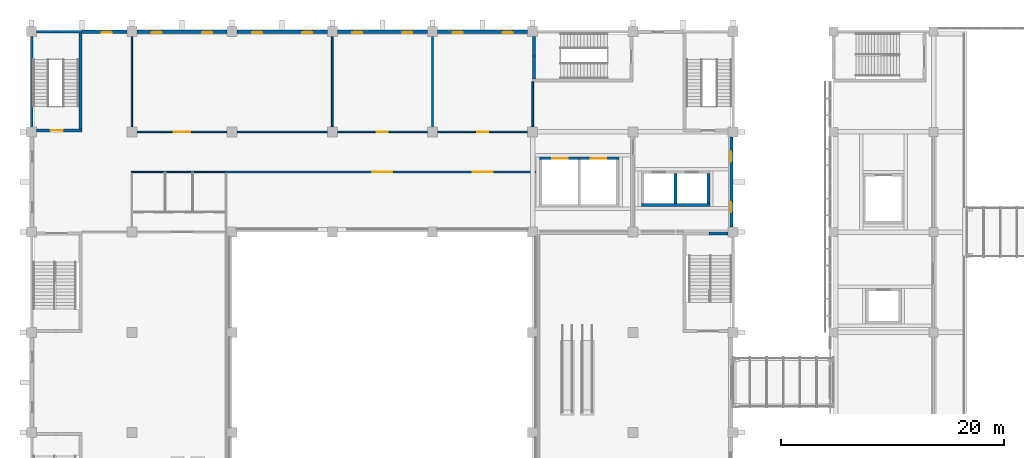
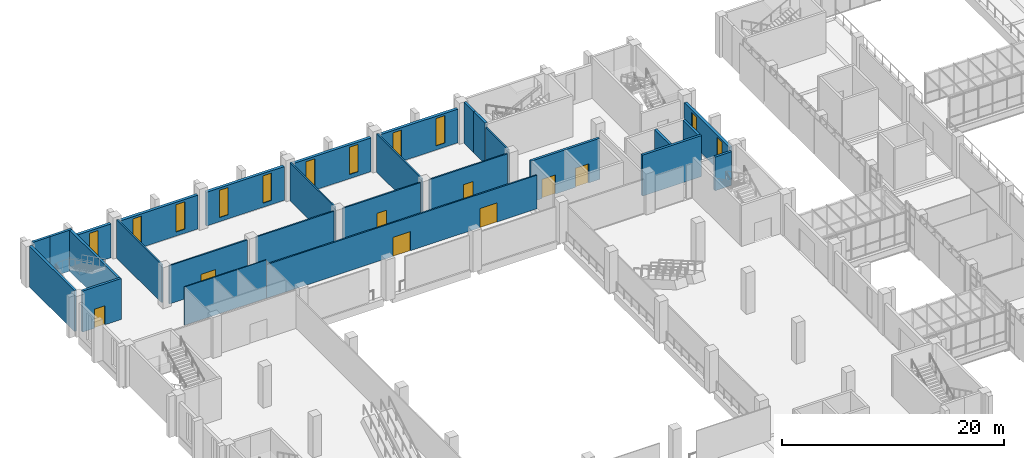
# One storey, part 60 of 88: 28 walls, 11 windows, 8 doors, 19 openings.
"""IFC4 building model written with IfcOpenShell, lengths in metres."""

from ifc_helpers import new_model, si_unit, direction, frame, frame_2d, origin, place, context, subcontext, project, spatial, rectangle, extrude, material, layer, layer_set, type_object, element, fill, save


model = new_model("IFC4")

# Units and contexts
model_context = context("Model", 3, precision=1e-05, world=origin(), true_north=direction((0.0, 1.0)))
body_context = subcontext(model_context, "Body", "Model", "MODEL_VIEW")
ifc_project = project(units=[si_unit("LENGTHUNIT", "METRE"), si_unit("AREAUNIT", "SQUARE_METRE"), si_unit("VOLUMEUNIT", "CUBIC_METRE"), si_unit("PLANEANGLEUNIT", "RADIAN"), si_unit("MASSUNIT", "GRAM", prefix="KILO")], contexts=[model_context])

# Site, building, storey
site_placement = place(None, origin())
site = spatial("IfcSite", under=ifc_project, at=site_placement, CompositionType="ELEMENT")
building_placement = place(site_placement, origin())
building = spatial("IfcBuilding", under=site, at=building_placement, Name="Guidao Yard Department Store", CompositionType="ELEMENT")
storey_placement = place(building_placement, frame((0.0, 0.0, 6.0)))
storey = spatial("IfcBuildingStorey", under=building, at=storey_placement, Name="L01", CompositionType="ELEMENT", Elevation=6.0)

# Wall, opening, window
ifc_material_1 = material(Name="Concrete C35", Category="concrete")
ifc_layer_1 = layer(ifc_material_1, 0.300048828125)
ifc_layer_set_1 = layer_set([ifc_layer_1], Name="Hall facade wall 300 C35")
wall_type_1 = type_object("IfcWallType", Name="Hall facade wall 300 C35", PredefinedType="SOLIDWALL", material=ifc_layer_set_1)
wall_1_placement = place(storey_placement, frame((4.5, 108.0, 0.0), z_axis=(0.0, 0.0, 1.0), x_axis=(1.0, 0.0, 0.0)))
wall_1 = element("IfcWall", 1, at=wall_1_placement, inside=storey, type_object=wall_type_1, Name="Hall facade wall", PredefinedType="SOLIDWALL", context=body_context, shape_type="SweptSolid", body=[
    extrude(rectangle(XDim=4.050048828125, YDim=0.300048828125, at=frame_2d((2.02490234375, 0.0))), origin(), (0.0, 0.0, 1.0), 3.699951171875),
])
opening_1_placement = place(wall_1_placement, frame((1.800048828125, 0.0, 0.449951171875)))
opening_1 = element("IfcOpeningElement", 2, at=opening_1_placement, cuts=wall_1, Name="Opening WN-L01-E09", PredefinedType="OPENING", context=body_context, shape_type="SweptSolid", body=[
    extrude(rectangle(XDim=0.89990234375, YDim=3.0, at=frame_2d((0.449951171875, 1.5))), frame((0.0, 0.159912109375, 0.0), z_axis=(0.0, -1.0, 0.0), x_axis=(1.0, 0.0, 0.0)), (0.0, 0.0, 1.0), 0.320068359375),
])
ifc_material_2 = material(Name="Laminated glass in aluminium frame", Category="aluminium")
window_type = type_object("IfcWindowType", Name="Slot window SL1 900 x 3000 fixed", PartitioningType="SINGLE_PANEL", PredefinedType="WINDOW", material=ifc_material_2)
window_1_placement = place(opening_1_placement, origin())
window_1 = element("IfcWindow", 3, at=window_1_placement, inside=storey, type_object=window_type, Name="Slot window", OverallHeight=3.0, OverallWidth=0.89990234375, PartitioningType="SINGLE_PANEL", PredefinedType="WINDOW", context=body_context, shape_type="SweptSolid", body=[
    extrude(rectangle(XDim=0.89990234375, YDim=3.0, at=frame_2d((0.449951171875, 1.5))), frame((0.0, -0.030029296875, 0.0), z_axis=(0.0, -1.0, 0.0), x_axis=(1.0, 0.0, 0.0)), (0.0, 0.0, 1.0), 0.06005859375),
])
fill(opening_1, window_1)

# Wall, openings, windows
wall_2_placement = place(storey_placement, frame((9.449951171875, 108.0, 0.0), z_axis=(0.0, 0.0, 1.0), x_axis=(1.0, 0.0, 0.0)))
wall_2 = element("IfcWall", 4, at=wall_2_placement, inside=storey, type_object=wall_type_1, Name="Hall facade wall", PredefinedType="SOLIDWALL", context=body_context, shape_type="SweptSolid", body=[
    extrude(rectangle(XDim=8.10009765625, YDim=0.300048828125, at=frame_2d((4.050048828125, 0.0))), origin(), (0.0, 0.0, 1.0), 3.699951171875),
])
opening_2_placement = place(wall_2_placement, frame((1.35009765625, 0.0, 0.449951171875)))
opening_2 = element("IfcOpeningElement", 5, at=opening_2_placement, cuts=wall_2, Name="Opening WN-L01-E10", PredefinedType="OPENING", context=body_context, shape_type="SweptSolid", body=[
    extrude(rectangle(XDim=0.89990234375, YDim=3.0, at=frame_2d((0.449951171875, 1.5))), frame((0.0, 0.159912109375, 0.0), z_axis=(0.0, -1.0, 0.0), x_axis=(1.0, 0.0, 0.0)), (0.0, 0.0, 1.0), 0.320068359375),
])
opening_3_placement = place(wall_2_placement, frame((5.85009765625, 0.0, 0.449951171875)))
opening_3 = element("IfcOpeningElement", 6, at=opening_3_placement, cuts=wall_2, Name="Opening WN-L01-E11", PredefinedType="OPENING", context=body_context, shape_type="SweptSolid", body=[
    extrude(rectangle(XDim=0.89990234375, YDim=3.0, at=frame_2d((0.449951171875, 1.5))), frame((0.0, 0.159912109375, 0.0), z_axis=(0.0, -1.0, 0.0), x_axis=(1.0, 0.0, 0.0)), (0.0, 0.0, 1.0), 0.320068359375),
])
window_2_placement = place(opening_2_placement, origin())
window_2 = element("IfcWindow", 7, at=window_2_placement, inside=storey, type_object=window_type, Name="Slot window", OverallHeight=3.0, OverallWidth=0.89990234375, PartitioningType="SINGLE_PANEL", PredefinedType="WINDOW", context=body_context, shape_type="SweptSolid", body=[
    extrude(rectangle(XDim=0.89990234375, YDim=3.0, at=frame_2d((0.449951171875, 1.5))), frame((0.0, -0.030029296875, 0.0), z_axis=(0.0, -1.0, 0.0), x_axis=(1.0, 0.0, 0.0)), (0.0, 0.0, 1.0), 0.06005859375),
])
fill(opening_2, window_2)
window_3_placement = place(opening_3_placement, origin())
window_3 = element("IfcWindow", 8, at=window_3_placement, inside=storey, type_object=window_type, Name="Slot window", OverallHeight=3.0, OverallWidth=0.89990234375, PartitioningType="SINGLE_PANEL", PredefinedType="WINDOW", context=body_context, shape_type="SweptSolid", body=[
    extrude(rectangle(XDim=0.89990234375, YDim=3.0, at=frame_2d((0.449951171875, 1.5))), frame((0.0, -0.030029296875, 0.0), z_axis=(0.0, -1.0, 0.0), x_axis=(1.0, 0.0, 0.0)), (0.0, 0.0, 1.0), 0.06005859375),
])
fill(opening_3, window_3)

wall_3_placement = place(storey_placement, frame((18.449951171875, 108.0, 0.0), z_axis=(0.0, 0.0, 1.0), x_axis=(1.0, 0.0, 0.0)))
wall_3 = element("IfcWall", 9, at=wall_3_placement, inside=storey, type_object=wall_type_1, Name="Hall facade wall", PredefinedType="SOLIDWALL", context=body_context, shape_type="SweptSolid", body=[
    extrude(rectangle(XDim=8.10009765625, YDim=0.300048828125, at=frame_2d((4.050048828125, 0.0))), origin(), (0.0, 0.0, 1.0), 3.699951171875),
])
opening_4_placement = place(wall_3_placement, frame((1.35009765625, 0.0, 0.449951171875)))
opening_4 = element("IfcOpeningElement", 10, at=opening_4_placement, cuts=wall_3, Name="Opening WN-L01-E12", PredefinedType="OPENING", context=body_context, shape_type="SweptSolid", body=[
    extrude(rectangle(XDim=0.89990234375, YDim=3.0, at=frame_2d((0.449951171875, 1.5))), frame((0.0, 0.159912109375, 0.0), z_axis=(0.0, -1.0, 0.0), x_axis=(1.0, 0.0, 0.0)), (0.0, 0.0, 1.0), 0.320068359375),
])
opening_5_placement = place(wall_3_placement, frame((5.85009765625, 0.0, 0.449951171875)))
opening_5 = element("IfcOpeningElement", 11, at=opening_5_placement, cuts=wall_3, Name="Opening WN-L01-E13", PredefinedType="OPENING", context=body_context, shape_type="SweptSolid", body=[
    extrude(rectangle(XDim=0.89990234375, YDim=3.0, at=frame_2d((0.449951171875, 1.5))), frame((0.0, 0.159912109375, 0.0), z_axis=(0.0, -1.0, 0.0), x_axis=(1.0, 0.0, 0.0)), (0.0, 0.0, 1.0), 0.320068359375),
])
window_4_placement = place(opening_4_placement, origin())
window_4 = element("IfcWindow", 12, at=window_4_placement, inside=storey, type_object=window_type, Name="Slot window", OverallHeight=3.0, OverallWidth=0.89990234375, PartitioningType="SINGLE_PANEL", PredefinedType="WINDOW", context=body_context, shape_type="SweptSolid", body=[
    extrude(rectangle(XDim=0.89990234375, YDim=3.0, at=frame_2d((0.449951171875, 1.5))), frame((0.0, -0.030029296875, 0.0), z_axis=(0.0, -1.0, 0.0), x_axis=(1.0, 0.0, 0.0)), (0.0, 0.0, 1.0), 0.06005859375),
])
fill(opening_4, window_4)
window_5_placement = place(opening_5_placement, origin())
window_5 = element("IfcWindow", 13, at=window_5_placement, inside=storey, type_object=window_type, Name="Slot window", OverallHeight=3.0, OverallWidth=0.89990234375, PartitioningType="SINGLE_PANEL", PredefinedType="WINDOW", context=body_context, shape_type="SweptSolid", body=[
    extrude(rectangle(XDim=0.89990234375, YDim=3.0, at=frame_2d((0.449951171875, 1.5))), frame((0.0, -0.030029296875, 0.0), z_axis=(0.0, -1.0, 0.0), x_axis=(1.0, 0.0, 0.0)), (0.0, 0.0, 1.0), 0.06005859375),
])
fill(opening_5, window_5)

wall_4_placement = place(storey_placement, frame((27.449951171875, 108.0, 0.0), z_axis=(0.0, 0.0, 1.0), x_axis=(1.0, 0.0, 0.0)))
wall_4 = element("IfcWall", 14, at=wall_4_placement, inside=storey, type_object=wall_type_1, Name="Hall facade wall", PredefinedType="SOLIDWALL", context=body_context, shape_type="SweptSolid", body=[
    extrude(rectangle(XDim=8.10009765625, YDim=0.300048828125, at=frame_2d((4.050048828125, 0.0))), origin(), (0.0, 0.0, 1.0), 3.699951171875),
])
opening_6_placement = place(wall_4_placement, frame((1.35009765625, 0.0, 0.449951171875)))
opening_6 = element("IfcOpeningElement", 15, at=opening_6_placement, cuts=wall_4, Name="Opening WN-L01-E14", PredefinedType="OPENING", context=body_context, shape_type="SweptSolid", body=[
    extrude(rectangle(XDim=0.89990234375, YDim=3.0, at=frame_2d((0.449951171875, 1.5))), frame((0.0, 0.159912109375, 0.0), z_axis=(0.0, -1.0, 0.0), x_axis=(1.0, 0.0, 0.0)), (0.0, 0.0, 1.0), 0.320068359375),
])
opening_7_placement = place(wall_4_placement, frame((5.85009765625, 0.0, 0.449951171875)))
opening_7 = element("IfcOpeningElement", 16, at=opening_7_placement, cuts=wall_4, Name="Opening WN-L01-E15", PredefinedType="OPENING", context=body_context, shape_type="SweptSolid", body=[
    extrude(rectangle(XDim=0.89990234375, YDim=3.0, at=frame_2d((0.449951171875, 1.5))), frame((0.0, 0.159912109375, 0.0), z_axis=(0.0, -1.0, 0.0), x_axis=(1.0, 0.0, 0.0)), (0.0, 0.0, 1.0), 0.320068359375),
])
window_6_placement = place(opening_6_placement, origin())
window_6 = element("IfcWindow", 17, at=window_6_placement, inside=storey, type_object=window_type, Name="Slot window", OverallHeight=3.0, OverallWidth=0.89990234375, PartitioningType="SINGLE_PANEL", PredefinedType="WINDOW", context=body_context, shape_type="SweptSolid", body=[
    extrude(rectangle(XDim=0.89990234375, YDim=3.0, at=frame_2d((0.449951171875, 1.5))), frame((0.0, -0.030029296875, 0.0), z_axis=(0.0, -1.0, 0.0), x_axis=(1.0, 0.0, 0.0)), (0.0, 0.0, 1.0), 0.06005859375),
])
fill(opening_6, window_6)
window_7_placement = place(opening_7_placement, origin())
window_7 = element("IfcWindow", 18, at=window_7_placement, inside=storey, type_object=window_type, Name="Slot window", OverallHeight=3.0, OverallWidth=0.89990234375, PartitioningType="SINGLE_PANEL", PredefinedType="WINDOW", context=body_context, shape_type="SweptSolid", body=[
    extrude(rectangle(XDim=0.89990234375, YDim=3.0, at=frame_2d((0.449951171875, 1.5))), frame((0.0, -0.030029296875, 0.0), z_axis=(0.0, -1.0, 0.0), x_axis=(1.0, 0.0, 0.0)), (0.0, 0.0, 1.0), 0.06005859375),
])
fill(opening_7, window_7)

wall_5_placement = place(storey_placement, frame((36.449951171875, 108.0, 0.0), z_axis=(0.0, 0.0, 1.0), x_axis=(1.0, 0.0, 0.0)))
wall_5 = element("IfcWall", 19, at=wall_5_placement, inside=storey, type_object=wall_type_1, Name="Hall facade wall", PredefinedType="SOLIDWALL", context=body_context, shape_type="SweptSolid", body=[
    extrude(rectangle(XDim=8.10009765625, YDim=0.300048828125, at=frame_2d((4.050048828125, 0.0))), origin(), (0.0, 0.0, 1.0), 3.699951171875),
])
opening_8_placement = place(wall_5_placement, frame((1.35009765625, 0.0, 0.449951171875)))
opening_8 = element("IfcOpeningElement", 20, at=opening_8_placement, cuts=wall_5, Name="Opening WN-L01-E16", PredefinedType="OPENING", context=body_context, shape_type="SweptSolid", body=[
    extrude(rectangle(XDim=0.89990234375, YDim=3.0, at=frame_2d((0.449951171875, 1.5))), frame((0.0, 0.159912109375, 0.0), z_axis=(0.0, -1.0, 0.0), x_axis=(1.0, 0.0, 0.0)), (0.0, 0.0, 1.0), 0.320068359375),
])
opening_9_placement = place(wall_5_placement, frame((5.85009765625, 0.0, 0.449951171875)))
opening_9 = element("IfcOpeningElement", 21, at=opening_9_placement, cuts=wall_5, Name="Opening WN-L01-E17", PredefinedType="OPENING", context=body_context, shape_type="SweptSolid", body=[
    extrude(rectangle(XDim=0.89990234375, YDim=3.0, at=frame_2d((0.449951171875, 1.5))), frame((0.0, 0.159912109375, 0.0), z_axis=(0.0, -1.0, 0.0), x_axis=(1.0, 0.0, 0.0)), (0.0, 0.0, 1.0), 0.320068359375),
])
window_8_placement = place(opening_8_placement, origin())
window_8 = element("IfcWindow", 22, at=window_8_placement, inside=storey, type_object=window_type, Name="Slot window", OverallHeight=3.0, OverallWidth=0.89990234375, PartitioningType="SINGLE_PANEL", PredefinedType="WINDOW", context=body_context, shape_type="SweptSolid", body=[
    extrude(rectangle(XDim=0.89990234375, YDim=3.0, at=frame_2d((0.449951171875, 1.5))), frame((0.0, -0.030029296875, 0.0), z_axis=(0.0, -1.0, 0.0), x_axis=(1.0, 0.0, 0.0)), (0.0, 0.0, 1.0), 0.06005859375),
])
fill(opening_8, window_8)
window_9_placement = place(opening_9_placement, origin())
window_9 = element("IfcWindow", 23, at=window_9_placement, inside=storey, type_object=window_type, Name="Slot window", OverallHeight=3.0, OverallWidth=0.89990234375, PartitioningType="SINGLE_PANEL", PredefinedType="WINDOW", context=body_context, shape_type="SweptSolid", body=[
    extrude(rectangle(XDim=0.89990234375, YDim=3.0, at=frame_2d((0.449951171875, 1.5))), frame((0.0, -0.030029296875, 0.0), z_axis=(0.0, -1.0, 0.0), x_axis=(1.0, 0.0, 0.0)), (0.0, 0.0, 1.0), 0.06005859375),
])
fill(opening_9, window_9)

wall_6_placement = place(storey_placement, frame((62.85009765625, 98.550048828125, 0.0), z_axis=(0.0, 0.0, 1.0), x_axis=(0.0, -1.0, 0.0)))
wall_6 = element("IfcWall", 24, at=wall_6_placement, inside=storey, type_object=wall_type_1, Name="Hall facade wall", PredefinedType="SOLIDWALL", context=body_context, shape_type="SweptSolid", body=[
    extrude(rectangle(XDim=8.10009765625, YDim=0.300048828125, at=frame_2d((4.050048828125, 0.0))), origin(), (0.0, 0.0, 1.0), 3.699951171875),
])
opening_10_placement = place(wall_6_placement, frame((5.85009765625, 0.0, 0.449951171875)))
opening_10 = element("IfcOpeningElement", 25, at=opening_10_placement, cuts=wall_6, Name="Opening WN-L01-E21", PredefinedType="OPENING", context=body_context, shape_type="SweptSolid", body=[
    extrude(rectangle(XDim=0.89990234375, YDim=3.0, at=frame_2d((0.449951171875, 1.5))), frame((0.0, 0.159912109375, 0.0), z_axis=(0.0, -1.0, 0.0), x_axis=(1.0, 0.0, 0.0)), (0.0, 0.0, 1.0), 0.320068359375),
])
opening_11_placement = place(wall_6_placement, frame((1.35009765625, 0.0, 0.449951171875)))
opening_11 = element("IfcOpeningElement", 26, at=opening_11_placement, cuts=wall_6, Name="Opening WN-L01-E22", PredefinedType="OPENING", context=body_context, shape_type="SweptSolid", body=[
    extrude(rectangle(XDim=0.89990234375, YDim=3.0, at=frame_2d((0.449951171875, 1.5))), frame((0.0, 0.159912109375, 0.0), z_axis=(0.0, -1.0, 0.0), x_axis=(1.0, 0.0, 0.0)), (0.0, 0.0, 1.0), 0.320068359375),
])
window_10_placement = place(opening_10_placement, origin())
window_10 = element("IfcWindow", 27, at=window_10_placement, inside=storey, type_object=window_type, Name="Slot window", OverallHeight=3.0, OverallWidth=0.89990234375, PartitioningType="SINGLE_PANEL", PredefinedType="WINDOW", context=body_context, shape_type="SweptSolid", body=[
    extrude(rectangle(XDim=0.89990234375, YDim=3.0, at=frame_2d((0.449951171875, 1.5))), frame((0.0, -0.030029296875, 0.0), z_axis=(0.0, -1.0, 0.0), x_axis=(1.0, 0.0, 0.0)), (0.0, 0.0, 1.0), 0.06005859375),
])
fill(opening_10, window_10)
window_11_placement = place(opening_11_placement, origin())
window_11 = element("IfcWindow", 28, at=window_11_placement, inside=storey, type_object=window_type, Name="Slot window", OverallHeight=3.0, OverallWidth=0.89990234375, PartitioningType="SINGLE_PANEL", PredefinedType="WINDOW", context=body_context, shape_type="SweptSolid", body=[
    extrude(rectangle(XDim=0.89990234375, YDim=3.0, at=frame_2d((0.449951171875, 1.5))), frame((0.0, -0.030029296875, 0.0), z_axis=(0.0, -1.0, 0.0), x_axis=(1.0, 0.0, 0.0)), (0.0, 0.0, 1.0), 0.06005859375),
])
fill(opening_11, window_11)

# Wall
ifc_material_3 = material(Name="Gypsum board on Steel Q235 studs", Category="steel")
ifc_layer_2 = layer(ifc_material_3, 0.10009765625)
ifc_layer_set_2 = layer_set([ifc_layer_2], Name="Partition P1 100 mm gypsum board EI 30")
wall_type_2 = type_object("IfcWallType", Name="Partition P1 100 mm gypsum board EI 30", PredefinedType="PARTITIONING", material=ifc_layer_set_2)
wall_7_placement = place(storey_placement, frame((8.949951171875, 95.39990234375, 0.0), z_axis=(0.0, 0.0, 1.0), x_axis=(1.0, 0.0, 0.0)))
element("IfcWall", 29, at=wall_7_placement, inside=storey, type_object=wall_type_2, Name="Wall W-HL01-020", PredefinedType="PARTITIONING", context=body_context, shape_type="SweptSolid", body=[
    extrude(rectangle(XDim=8.5, YDim=0.10009765625, at=frame_2d((4.25, 0.0))), origin(), (0.0, 0.0, 1.0), 4.199951171875),
])

# Wall, openings, doors
ifc_material_4 = material(Name="Concrete block MU10", Category="concrete")
ifc_layer_3 = layer(ifc_material_4, 0.14990234375)
ifc_layer_set_3 = layer_set([ifc_layer_3], Name="Wall P2 150 mm blockwork EI 60")
wall_type_3 = type_object("IfcWallType", Name="Wall P2 150 mm blockwork EI 60", PredefinedType="PARTITIONING", material=ifc_layer_set_3)
wall_8_placement = place(storey_placement, frame((17.449951171875, 95.39990234375, 0.0), z_axis=(0.0, 0.0, 1.0), x_axis=(1.0, 0.0, 0.0)))
wall_8 = element("IfcWall", 30, at=wall_8_placement, inside=storey, type_object=wall_type_3, Name="Wall W-HL01-019", PredefinedType="PARTITIONING", context=body_context, shape_type="SweptSolid", body=[
    extrude(rectangle(XDim=28.10009765625, YDim=0.14990234375, at=frame_2d((14.050048828125, 0.0))), origin(), (0.0, 0.0, 1.0), 3.699951171875),
])
opening_12_placement = place(wall_8_placement, frame((14.949951171875, 0.0, 0.0), z_axis=(0.0, 0.0, 1.0), x_axis=(-1.0, 0.0, 0.0)))
opening_12 = element("IfcOpeningElement", 31, at=opening_12_placement, cuts=wall_8, Name="Opening HL01-005", PredefinedType="OPENING", context=body_context, shape_type="SweptSolid", body=[
    extrude(rectangle(XDim=1.800048828125, YDim=2.10009765625, at=frame_2d((0.89990234375, 1.050048828125))), frame((0.0, 0.0849609375, 0.0), z_axis=(0.0, -1.0, 0.0), x_axis=(1.0, 0.0, 0.0)), (0.0, 0.0, 1.0), 0.169921875),
])
opening_13_placement = place(wall_8_placement, frame((23.949951171875, 0.0, 0.0), z_axis=(0.0, 0.0, 1.0), x_axis=(-1.0, 0.0, 0.0)))
opening_13 = element("IfcOpeningElement", 32, at=opening_13_placement, cuts=wall_8, Name="Opening HL01-006", PredefinedType="OPENING", context=body_context, shape_type="SweptSolid", body=[
    extrude(rectangle(XDim=1.800048828125, YDim=2.10009765625, at=frame_2d((0.89990234375, 1.050048828125))), frame((0.0, 0.0849609375, 0.0), z_axis=(0.0, -1.0, 0.0), x_axis=(1.0, 0.0, 0.0)), (0.0, 0.0, 1.0), 0.169921875),
])
ifc_material_5 = material(Name="Steel Q235", Category="steel")
door_type_1 = type_object("IfcDoorType", Name="Door FD5 double 1800 x 2100 FD60", OperationType="DOUBLE_DOOR_SINGLE_SWING", PredefinedType="DOOR", material=ifc_material_5)
door_1_placement = place(opening_12_placement, origin())
door_1 = element("IfcDoor", 33, at=door_1_placement, inside=storey, type_object=door_type_1, Name="Door HL01-005", OperationType="DOUBLE_DOOR_SINGLE_SWING", OverallHeight=2.10009765625, OverallWidth=1.800048828125, PredefinedType="DOOR", context=body_context, shape_type="SweptSolid", body=[
    extrude(rectangle(XDim=1.800048828125, YDim=2.10009765625, at=frame_2d((0.89990234375, 1.050048828125))), frame((0.0, 0.02490234375, 0.0), z_axis=(0.0, -1.0, 0.0), x_axis=(1.0, 0.0, 0.0)), (0.0, 0.0, 1.0), 0.050048828125),
])
fill(opening_12, door_1)
door_2_placement = place(opening_13_placement, origin())
door_2 = element("IfcDoor", 34, at=door_2_placement, inside=storey, type_object=door_type_1, Name="Door HL01-006", OperationType="DOUBLE_DOOR_SINGLE_SWING", OverallHeight=2.10009765625, OverallWidth=1.800048828125, PredefinedType="DOOR", context=body_context, shape_type="SweptSolid", body=[
    extrude(rectangle(XDim=1.800048828125, YDim=2.10009765625, at=frame_2d((0.89990234375, 1.050048828125))), frame((0.0, 0.02490234375, 0.0), z_axis=(0.0, -1.0, 0.0), x_axis=(1.0, 0.0, 0.0)), (0.0, 0.0, 1.0), 0.050048828125),
])
fill(opening_13, door_2)

# Wall, opening, door
wall_9_placement = place(storey_placement, frame((9.449951171875, 99.0, 0.0), z_axis=(0.0, 0.0, 1.0), x_axis=(1.0, 0.0, 0.0)))
wall_9 = element("IfcWall", 35, at=wall_9_placement, inside=storey, type_object=wall_type_3, Name="Wall W-HL01-021", PredefinedType="PARTITIONING", context=body_context, shape_type="SweptSolid", body=[
    extrude(rectangle(XDim=8.10009765625, YDim=0.14990234375, at=frame_2d((4.050048828125, 0.0))), origin(), (0.0, 0.0, 1.0), 4.199951171875),
])
opening_14_placement = place(wall_9_placement, frame((3.300048828125, 0.0, 0.0)))
opening_14 = element("IfcOpeningElement", 36, at=opening_14_placement, cuts=wall_9, Name="Opening HL01-008", PredefinedType="OPENING", context=body_context, shape_type="SweptSolid", body=[
    extrude(rectangle(XDim=1.5, YDim=2.10009765625, at=frame_2d((0.75, 1.050048828125))), frame((0.0, 0.0849609375, 0.0), z_axis=(0.0, -1.0, 0.0), x_axis=(1.0, 0.0, 0.0)), (0.0, 0.0, 1.0), 0.169921875),
])
ifc_material_6 = material(Name="Steel Q235", Category="steel")
door_type_2 = type_object("IfcDoorType", Name="Door FD11 trolley double 1500 x 2100 FD60", OperationType="DOUBLE_DOOR_SINGLE_SWING", PredefinedType="DOOR", material=ifc_material_6)
door_3_placement = place(opening_14_placement, origin())
door_3 = element("IfcDoor", 37, at=door_3_placement, inside=storey, type_object=door_type_2, Name="Door HL01-008", OperationType="DOUBLE_DOOR_SINGLE_SWING", OverallHeight=2.10009765625, OverallWidth=1.5, PredefinedType="DOOR", context=body_context, shape_type="SweptSolid", body=[
    extrude(rectangle(XDim=1.5, YDim=2.10009765625, at=frame_2d((0.75, 1.050048828125))), frame((0.0, 0.02490234375, 0.0), z_axis=(0.0, -1.0, 0.0), x_axis=(1.0, 0.0, 0.0)), (0.0, 0.0, 1.0), 0.050048828125),
])
fill(opening_14, door_3)

# Wall
wall_10_placement = place(storey_placement, frame((18.449951171875, 99.0, 0.0), z_axis=(0.0, 0.0, 1.0), x_axis=(1.0, 0.0, 0.0)))
element("IfcWall", 38, at=wall_10_placement, inside=storey, type_object=wall_type_3, Name="Wall W-HL01-022", PredefinedType="PARTITIONING", context=body_context, shape_type="SweptSolid", body=[
    extrude(rectangle(XDim=8.10009765625, YDim=0.14990234375, at=frame_2d((4.050048828125, 0.0))), origin(), (0.0, 0.0, 1.0), 4.199951171875),
])

# Wall, opening, door
wall_11_placement = place(storey_placement, frame((27.449951171875, 99.0, 0.0), z_axis=(0.0, 0.0, 1.0), x_axis=(1.0, 0.0, 0.0)))
wall_11 = element("IfcWall", 39, at=wall_11_placement, inside=storey, type_object=wall_type_3, Name="Wall W-HL01-023", PredefinedType="PARTITIONING", context=body_context, shape_type="SweptSolid", body=[
    extrude(rectangle(XDim=8.10009765625, YDim=0.14990234375, at=frame_2d((4.050048828125, 0.0))), origin(), (0.0, 0.0, 1.0), 4.199951171875),
])
opening_15_placement = place(wall_11_placement, frame((3.550048828125, 0.0, 0.0)))
opening_15 = element("IfcOpeningElement", 40, at=opening_15_placement, cuts=wall_11, Name="Opening HL01-009", PredefinedType="OPENING", context=body_context, shape_type="SweptSolid", body=[
    extrude(rectangle(XDim=1.0, YDim=2.39990234375, at=frame_2d((0.5, 1.199951171875))), frame((0.0, 0.0849609375, 0.0), z_axis=(0.0, -1.0, 0.0), x_axis=(1.0, 0.0, 0.0)), (0.0, 0.0, 1.0), 0.169921875),
])
ifc_material_7 = material(Name="Steel Q235", Category="steel")
door_type_3 = type_object("IfcDoorType", Name="Door FD15 staff 1000 x 2400 FD60", OperationType="SINGLE_SWING_LEFT", PredefinedType="DOOR", material=ifc_material_7)
door_4_placement = place(opening_15_placement, origin())
door_4 = element("IfcDoor", 41, at=door_4_placement, inside=storey, type_object=door_type_3, Name="Door HL01-009", OperationType="SINGLE_SWING_LEFT", OverallHeight=2.39990234375, OverallWidth=1.0, PredefinedType="DOOR", context=body_context, shape_type="SweptSolid", body=[
    extrude(rectangle(XDim=1.0, YDim=2.39990234375, at=frame_2d((0.5, 1.199951171875))), frame((0.0, 0.02490234375, 0.0), z_axis=(0.0, -1.0, 0.0), x_axis=(1.0, 0.0, 0.0)), (0.0, 0.0, 1.0), 0.050048828125),
])
fill(opening_15, door_4)

wall_12_placement = place(storey_placement, frame((36.449951171875, 99.0, 0.0), z_axis=(0.0, 0.0, 1.0), x_axis=(1.0, 0.0, 0.0)))
wall_12 = element("IfcWall", 42, at=wall_12_placement, inside=storey, type_object=wall_type_3, Name="Wall W-HL01-024", PredefinedType="PARTITIONING", context=body_context, shape_type="SweptSolid", body=[
    extrude(rectangle(XDim=8.10009765625, YDim=0.14990234375, at=frame_2d((4.050048828125, 0.0))), origin(), (0.0, 0.0, 1.0), 4.199951171875),
])
opening_16_placement = place(wall_12_placement, frame((3.550048828125, 0.0, 0.0)))
opening_16 = element("IfcOpeningElement", 43, at=opening_16_placement, cuts=wall_12, Name="Opening HL01-010", PredefinedType="OPENING", context=body_context, shape_type="SweptSolid", body=[
    extrude(rectangle(XDim=1.0, YDim=2.39990234375, at=frame_2d((0.5, 1.199951171875))), frame((0.0, 0.0849609375, 0.0), z_axis=(0.0, -1.0, 0.0), x_axis=(1.0, 0.0, 0.0)), (0.0, 0.0, 1.0), 0.169921875),
])
door_5_placement = place(opening_16_placement, origin())
door_5 = element("IfcDoor", 44, at=door_5_placement, inside=storey, type_object=door_type_3, Name="Door HL01-010", OperationType="SINGLE_SWING_RIGHT", OverallHeight=2.39990234375, OverallWidth=1.0, PredefinedType="DOOR", context=body_context, shape_type="SweptSolid", body=[
    extrude(rectangle(XDim=1.0, YDim=2.39990234375, at=frame_2d((0.5, 1.199951171875))), frame((0.0, 0.02490234375, 0.0), z_axis=(0.0, -1.0, 0.0), x_axis=(1.0, 0.0, 0.0)), (0.0, 0.0, 1.0), 0.050048828125),
])
fill(opening_16, door_5)

# Walls
for number, where, z_axis, x_axis, name in (
    (45, (9.0, 99.449951171875, 0.0), (0.0, 0.0, 1.0), (0.0, 1.0, 0.0), "Wall W-HL01-025"),
    (46, (27.0, 99.449951171875, 0.0), (0.0, 0.0, 1.0), (0.0, 1.0, 0.0), "Wall W-HL01-026"),
    (47, (36.0, 99.449951171875, 0.0), (0.0, 0.0, 1.0), (0.0, 1.0, 0.0), "Wall W-HL01-027"),
):
    element("IfcWall", number, at=place(storey_placement, frame(where, z_axis=z_axis, x_axis=x_axis)), inside=storey, type_object=wall_type_3, Name=name, PredefinedType="PARTITIONING", context=body_context, shape_type="SweptSolid", body=[
        extrude(rectangle(XDim=8.10009765625, YDim=0.14990234375, at=frame_2d((4.050048828125, 0.0))), origin(), (0.0, 0.0, 1.0), 4.199951171875),
    ])
wall_13_placement = place(storey_placement, frame((45.0, 99.449951171875, 0.0), z_axis=(0.0, 0.0, 1.0), x_axis=(0.0, 1.0, 0.0)))
element("IfcWall", 48, at=wall_13_placement, inside=storey, type_object=wall_type_3, Name="Wall W-HL01-028", PredefinedType="PARTITIONING", context=body_context, shape_type="SweptSolid", body=[
    extrude(rectangle(XDim=4.050048828125, YDim=0.14990234375, at=frame_2d((2.02490234375, 0.0))), origin(), (0.0, 0.0, 1.0), 4.199951171875),
])
ifc_material_8 = material(Name="Concrete C40", Category="concrete")
ifc_layer_4 = layer(ifc_material_8, 0.25)
ifc_layer_set_4 = layer_set([ifc_layer_4], Name="Wall RC 250 C40 stair and shaft")
wall_type_4 = type_object("IfcWallType", Name="Wall RC 250 C40 stair and shaft", PredefinedType="SHEAR", material=ifc_layer_set_4)
wall_14_placement = place(storey_placement, frame((60.81201171875, 89.875, 0.0), z_axis=(0.0, 0.0, 1.0), x_axis=(1.0, 0.0, 0.0)))
element("IfcWall", 49, at=wall_14_placement, inside=storey, type_object=wall_type_4, Name="Stair wall SA4", PredefinedType="SHEAR", context=body_context, shape_type="SweptSolid", body=[
    extrude(rectangle(XDim=1.738037109375, YDim=0.25, at=frame_2d((0.869140625, 0.0))), origin(), (0.0, 0.0, 1.0), 3.699951171875),
])

# Wall, opening, door
wall_15_placement = place(storey_placement, frame((0.449951171875, 99.125, 0.0), z_axis=(0.0, 0.0, 1.0), x_axis=(1.0, 0.0, 0.0)))
wall_15 = element("IfcWall", 50, at=wall_15_placement, inside=storey, type_object=wall_type_4, Name="Stair wall SA5", PredefinedType="SHEAR", context=body_context, shape_type="SweptSolid", body=[
    extrude(rectangle(XDim=4.050048828125, YDim=0.25, at=frame_2d((2.02490234375, 0.0))), origin(), (0.0, 0.0, 1.0), 4.5),
])
opening_17_placement = place(wall_15_placement, frame((1.25, 0.0, 0.0)))
opening_17 = element("IfcOpeningElement", 51, at=opening_17_placement, cuts=wall_15, Name="Opening L01-804", PredefinedType="OPENING", context=body_context, shape_type="SweptSolid", body=[
    extrude(rectangle(XDim=1.10009765625, YDim=2.10009765625, at=frame_2d((0.550048828125, 1.050048828125))), frame((0.0, 0.135009765625, 0.0), z_axis=(0.0, -1.0, 0.0), x_axis=(1.0, 0.0, 0.0)), (0.0, 0.0, 1.0), 0.27001953125),
])
ifc_material_9 = material(Name="Steel Q235", Category="steel")
door_type_4 = type_object("IfcDoorType", Name="Door fire-resisting 1100 x 2100 FD60", OperationType="SINGLE_SWING_LEFT", PredefinedType="DOOR", material=ifc_material_9)
door_6_placement = place(opening_17_placement, origin())
door_6 = element("IfcDoor", 52, at=door_6_placement, inside=storey, type_object=door_type_4, Name="Stair A5 door L01", OperationType="SINGLE_SWING_LEFT", OverallHeight=2.10009765625, OverallWidth=1.10009765625, PredefinedType="DOOR", context=body_context, shape_type="SweptSolid", body=[
    extrude(rectangle(XDim=1.10009765625, YDim=2.10009765625, at=frame_2d((0.550048828125, 1.050048828125))), frame((0.0, 0.02490234375, 0.0), z_axis=(0.0, -1.0, 0.0), x_axis=(1.0, 0.0, 0.0)), (0.0, 0.0, 1.0), 0.050048828125),
])
fill(opening_17, door_6)

# Walls
wall_16_placement = place(storey_placement, frame((0.449951171875, 108.0, 0.0), z_axis=(0.0, 0.0, 1.0), x_axis=(1.0, 0.0, 0.0)))
element("IfcWall", 53, at=wall_16_placement, inside=storey, type_object=wall_type_4, Name="Stair wall SA5", PredefinedType="SHEAR", context=body_context, shape_type="SweptSolid", body=[
    extrude(rectangle(XDim=1.738037109375, YDim=0.25, at=frame_2d((0.869140625, 0.0))), origin(), (0.0, 0.0, 1.0), 4.5),
])
wall_17_placement = place(storey_placement, frame((2.18798828125, 108.0, 0.0), z_axis=(0.0, 0.0, 1.0), x_axis=(1.0, 0.0, 0.0)))
element("IfcWall", 54, at=wall_17_placement, inside=storey, type_object=wall_type_4, Name="Stair wall SA5", PredefinedType="SHEAR", context=body_context, shape_type="SweptSolid", body=[
    extrude(rectangle(XDim=2.31201171875, YDim=0.25, at=frame_2d((1.156005859375, 0.0))), origin(), (0.0, 0.0, 1.0), 4.5),
])
wall_18_placement = place(storey_placement, frame((0.0, 99.449951171875, 0.0), z_axis=(0.0, 0.0, 1.0), x_axis=(0.0, 1.0, 0.0)))
element("IfcWall", 55, at=wall_18_placement, inside=storey, type_object=wall_type_4, Name="Stair wall SA5", PredefinedType="SHEAR", context=body_context, shape_type="SweptSolid", body=[
    extrude(rectangle(XDim=8.10009765625, YDim=0.25, at=frame_2d((4.050048828125, 0.0))), origin(), (0.0, 0.0, 1.0), 4.5),
])
wall_19_placement = place(storey_placement, frame((4.375, 99.25, 0.0), z_axis=(0.0, 0.0, 1.0), x_axis=(0.0, 1.0, 0.0)))
element("IfcWall", 56, at=wall_19_placement, inside=storey, type_object=wall_type_4, Name="Stair wall SA5", PredefinedType="SHEAR", context=body_context, shape_type="SweptSolid", body=[
    extrude(rectangle(XDim=8.625, YDim=0.25, at=frame_2d((4.3125, 0.0))), origin(), (0.0, 0.0, 1.0), 4.5),
])
wall_20_placement = place(storey_placement, frame((45.125, 103.75, 0.0), z_axis=(0.0, 0.0, 1.0), x_axis=(0.0, 1.0, 0.0)))
element("IfcWall", 57, at=wall_20_placement, inside=storey, type_object=wall_type_4, Name="Stair wall SA7", PredefinedType="SHEAR", context=body_context, shape_type="SweptSolid", body=[
    extrude(rectangle(XDim=2.06201171875, YDim=0.25, at=frame_2d((1.031005859375, 0.0))), origin(), (0.0, 0.0, 1.0), 4.5),
])
wall_21_placement = place(storey_placement, frame((45.125, 105.81201171875, 0.0), z_axis=(0.0, 0.0, 1.0), x_axis=(0.0, 1.0, 0.0)))
element("IfcWall", 58, at=wall_21_placement, inside=storey, type_object=wall_type_4, Name="Stair wall SA7", PredefinedType="SHEAR", context=body_context, shape_type="SweptSolid", body=[
    extrude(rectangle(XDim=1.738037109375, YDim=0.25, at=frame_2d((0.869140625, 0.0))), origin(), (0.0, 0.0, 1.0), 4.5),
])

# Wall, openings, doors
wall_22_placement = place(storey_placement, frame((45.60009765625, 96.625, 0.0), z_axis=(0.0, 0.0, 1.0), x_axis=(1.0, 0.0, 0.0)))
wall_22 = element("IfcWall", 59, at=wall_22_placement, inside=storey, type_object=wall_type_4, Name="Lift shaft wall HG1 to HG2", PredefinedType="SHEAR", context=body_context, shape_type="SweptSolid", body=[
    extrude(rectangle(XDim=7.14990234375, YDim=0.25, at=frame_2d((3.574951171875, 0.0))), origin(), (0.0, 0.0, 1.0), 4.5),
])
opening_18_placement = place(wall_22_placement, frame((1.14990234375, 0.0, 0.0)))
opening_18 = element("IfcOpeningElement", 60, at=opening_18_placement, cuts=wall_22, Name="Opening LD-HG1-L01", PredefinedType="OPENING", context=body_context, shape_type="SweptSolid", body=[
    extrude(rectangle(XDim=1.39990234375, YDim=2.10009765625, at=frame_2d((0.699951171875, 1.050048828125))), frame((0.0, 0.135009765625, 0.0), z_axis=(0.0, -1.0, 0.0), x_axis=(1.0, 0.0, 0.0)), (0.0, 0.0, 1.0), 0.27001953125),
])
opening_19_placement = place(wall_22_placement, frame((4.60009765625, 0.0, 0.0)))
opening_19 = element("IfcOpeningElement", 61, at=opening_19_placement, cuts=wall_22, Name="Opening LD-HG2-L01", PredefinedType="OPENING", context=body_context, shape_type="SweptSolid", body=[
    extrude(rectangle(XDim=1.39990234375, YDim=2.10009765625, at=frame_2d((0.699951171875, 1.050048828125))), frame((0.0, 0.135009765625, 0.0), z_axis=(0.0, -1.0, 0.0), x_axis=(1.0, 0.0, 0.0)), (0.0, 0.0, 1.0), 0.27001953125),
])
ifc_material_10 = material(Name="Stainless steel 06Cr19Ni10", Category="steel")
door_type_5 = type_object("IfcDoorType", Name="Lift landing door fire-resisting sliding 1400 x 2100", OperationType="DOUBLE_DOOR_SLIDING", PredefinedType="DOOR", material=ifc_material_10)
door_7_placement = place(opening_18_placement, origin())
door_7 = element("IfcDoor", 62, at=door_7_placement, inside=storey, type_object=door_type_5, Name="Lift landing door HG1 L01", OperationType="DOUBLE_DOOR_SLIDING", OverallHeight=2.10009765625, OverallWidth=1.39990234375, PredefinedType="DOOR", context=body_context, shape_type="SweptSolid", body=[
    extrude(rectangle(XDim=1.39990234375, YDim=2.10009765625, at=frame_2d((0.699951171875, 1.050048828125))), frame((0.0, 0.02490234375, 0.0), z_axis=(0.0, -1.0, 0.0), x_axis=(1.0, 0.0, 0.0)), (0.0, 0.0, 1.0), 0.050048828125),
])
fill(opening_18, door_7)
door_8_placement = place(opening_19_placement, origin())
door_8 = element("IfcDoor", 63, at=door_8_placement, inside=storey, type_object=door_type_5, Name="Lift landing door HG2 L01", OperationType="DOUBLE_DOOR_SLIDING", OverallHeight=2.10009765625, OverallWidth=1.39990234375, PredefinedType="DOOR", context=body_context, shape_type="SweptSolid", body=[
    extrude(rectangle(XDim=1.39990234375, YDim=2.10009765625, at=frame_2d((0.699951171875, 1.050048828125))), frame((0.0, 0.02490234375, 0.0), z_axis=(0.0, -1.0, 0.0), x_axis=(1.0, 0.0, 0.0)), (0.0, 0.0, 1.0), 0.050048828125),
])
fill(opening_19, door_8)

# Walls
wall_23_placement = place(storey_placement, frame((54.75, 92.425048828125, 0.0), z_axis=(0.0, 0.0, 1.0), x_axis=(1.0, 0.0, 0.0)))
element("IfcWall", 64, at=wall_23_placement, inside=storey, type_object=wall_type_4, Name="Lift shaft wall HF1 to HF2", PredefinedType="SHEAR", context=body_context, shape_type="SweptSolid", body=[
    extrude(rectangle(XDim=6.14990234375, YDim=0.25, at=frame_2d((3.074951171875, 0.0))), origin(), (0.0, 0.0, 1.0), 4.5),
])
for number, where, z_axis, x_axis, name in (
    (65, (57.824951171875, 92.550048828125, 0.0), (0.0, 0.0, 1.0), (0.0, 1.0, 0.0), "Lift shaft wall HF1 to HF2"),
    (66, (60.77490234375, 92.550048828125, 0.0), (0.0, 0.0, 1.0), (0.0, 1.0, 0.0), "Lift shaft wall HF1 to HF2"),
):
    element("IfcWall", number, at=place(storey_placement, frame(where, z_axis=z_axis, x_axis=x_axis)), inside=storey, type_object=wall_type_4, Name=name, PredefinedType="SHEAR", context=body_context, shape_type="SweptSolid", body=[
        extrude(rectangle(XDim=2.699951171875, YDim=0.25, at=frame_2d((1.35009765625, 0.0))), origin(), (0.0, 0.0, 1.0), 4.5),
    ])

save(model, "model.ifc")
